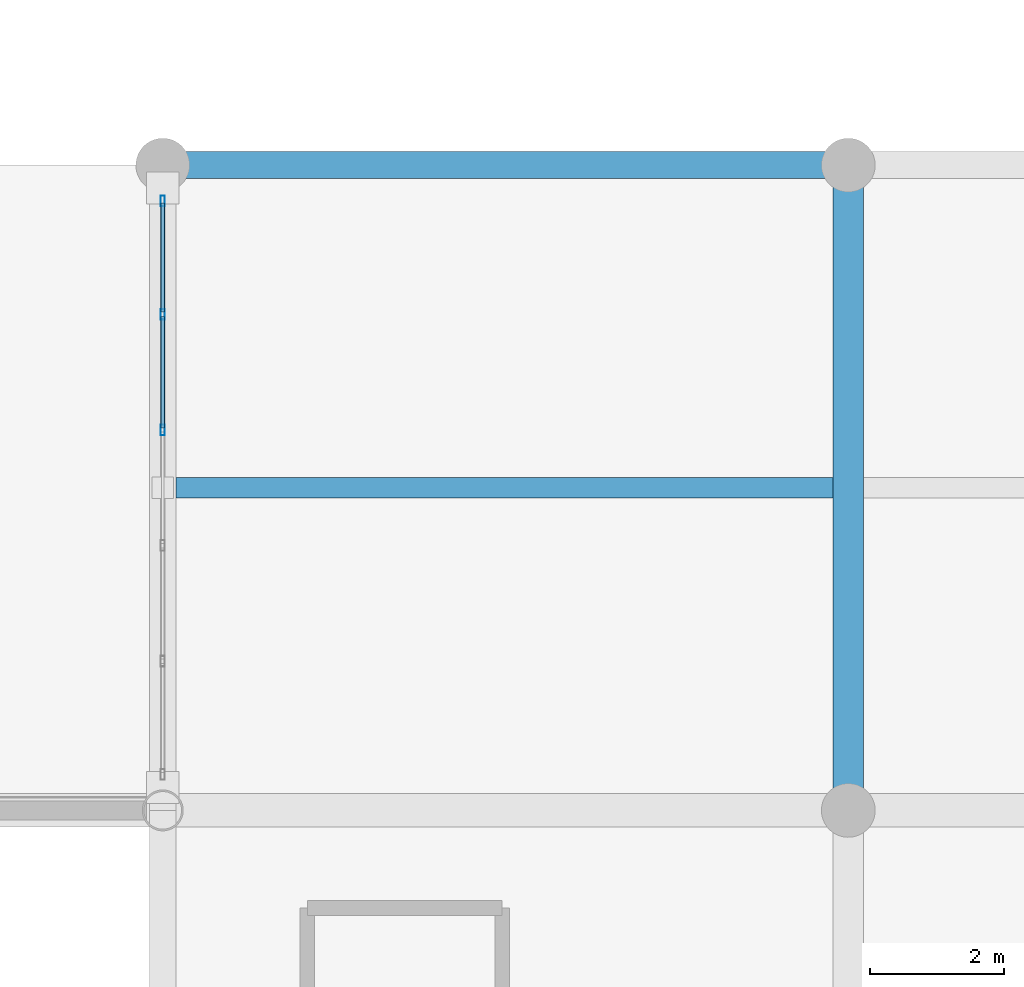
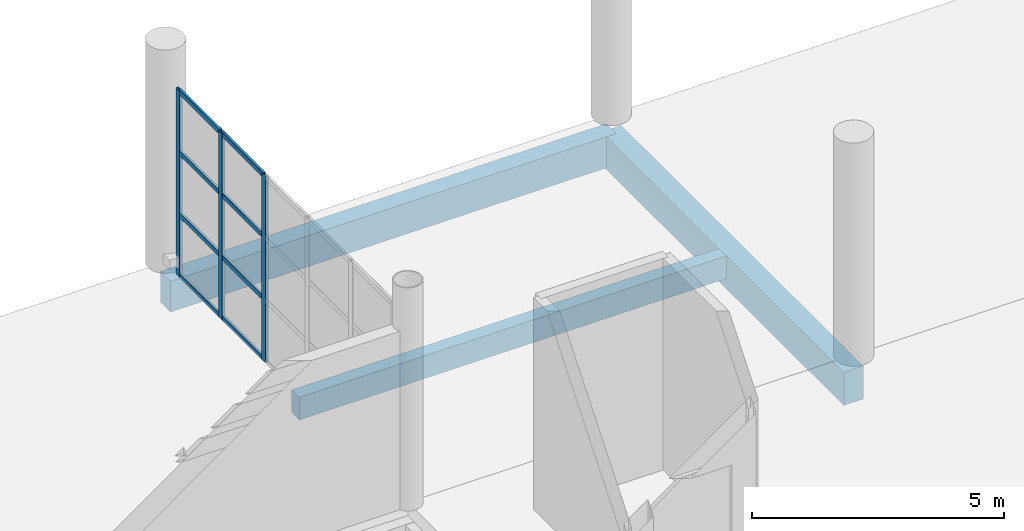
# One storey, part 78 of 175: 11 members, 3 beams, 1 element without a shape of its own.
"""IFC4 building model written with IfcOpenShell, lengths in metres."""

from ifc_helpers import new_model, si_unit, direction, frame, origin, origin_2d, place, context, subcontext, project, spatial, rectangle, hollow_rectangle, extrude, material, material_profile, profile_set, type_object, element, aggregate, save


model = new_model("IFC4")

# Units and contexts
model_context = context("Model", 3, precision=1e-05, world=origin(), true_north=direction((0.0, 1.0)))
body_context = subcontext(model_context, "Body", "Model", "MODEL_VIEW")
ifc_project = project(units=[si_unit("LENGTHUNIT", "METRE"), si_unit("AREAUNIT", "SQUARE_METRE"), si_unit("VOLUMEUNIT", "CUBIC_METRE"), si_unit("PLANEANGLEUNIT", "RADIAN"), si_unit("MASSUNIT", "GRAM", prefix="KILO")], contexts=[model_context])

# Site, building, storey
site_placement = place(None, origin())
site = spatial("IfcSite", under=ifc_project, at=site_placement, CompositionType="ELEMENT")
building_placement = place(site_placement, origin())
building = spatial("IfcBuilding", under=site, at=building_placement, Name="Brelvane Convention Centre", CompositionType="ELEMENT")
storey_placement = place(building_placement, frame((0.0, 0.0, 5.39990234375)))
storey = spatial("IfcBuildingStorey", under=building, at=storey_placement, Name="L01", CompositionType="ELEMENT", Elevation=5.39990234375)

# Curtain wall, members
ifc_material_1 = material(Name="Anodised Aluminium Alloy 6063-T6", Category="aluminium")
curtain_wall_type = type_object("IfcCurtainWallType", Name="Curtain Wall CW-PAV", PredefinedType="USERDEFINED", material=ifc_material_1)
curtain_wall_placement = place(storey_placement, origin())
curtain_wall = element("IfcCurtainWall", 1, at=curtain_wall_placement, inside=storey, type_object=curtain_wall_type, Name="Curtain Wall CW-PAV L01-COURT-E-CW-L01", ObjectType="UNITISED", PredefinedType="USERDEFINED")
ifc_material_2 = material(Name="Anodised Aluminium Alloy 6063-T6", Category="aluminium")
ifc_material_profile_1 = material_profile(ifc_material_2, hollow_rectangle(XDim=0.06494140625, YDim=0.159912109375, WallThickness=0.00390625, InnerFilletRadius=0.00390625, OuterFilletRadius=0.008056640625, at=origin_2d()), Name="ALU-M 160x65x4.0")
ifc_profile_set_1 = profile_set([ifc_material_profile_1], Name="Anodised Aluminium Alloy 6063-T6")
member_type_1 = type_object("IfcMemberType", Name="Curtain Mullion CW-M3", PredefinedType="MULLION", material=ifc_profile_set_1)
member_1_placement = place(storey_placement, frame((142.800048828125, 105.260009765625, 0.0), z_axis=(0.0, 0.0, 1.0), x_axis=(-1.0, 0.0, 0.0)))
member_1 = element("IfcMember", 2, at=member_1_placement, type_object=member_type_1, Name="CW-PAV mullion 4", PredefinedType="MULLION", context=body_context, shape_type="SweptSolid", body=[
    extrude(hollow_rectangle(XDim=0.06494140625, YDim=0.159912109375, WallThickness=0.00390625, InnerFilletRadius=0.00390625, OuterFilletRadius=0.008056640625, at=origin_2d()), origin(), (0.0, 0.0, 1.0), 4.5),
])
member_2_placement = place(storey_placement, frame((142.800048828125, 106.97998046875, 0.0), z_axis=(0.0, 0.0, 1.0), x_axis=(-1.0, 0.0, 0.0)))
member_2 = element("IfcMember", 3, at=member_2_placement, type_object=member_type_1, Name="CW-PAV mullion 5", PredefinedType="MULLION", context=body_context, shape_type="SweptSolid", body=[
    extrude(hollow_rectangle(XDim=0.06494140625, YDim=0.159912109375, WallThickness=0.00390625, InnerFilletRadius=0.00390625, OuterFilletRadius=0.008056640625, at=origin_2d()), origin(), (0.0, 0.0, 1.0), 4.5),
])
member_3_placement = place(storey_placement, frame((142.800048828125, 108.66748046875, 0.0), z_axis=(0.0, 0.0, 1.0), x_axis=(-1.0, 0.0, 0.0)))
member_3 = element("IfcMember", 4, at=member_3_placement, type_object=member_type_1, Name="CW-PAV mullion 6", PredefinedType="MULLION", context=body_context, shape_type="SweptSolid", body=[
    extrude(hollow_rectangle(XDim=0.06494140625, YDim=0.159912109375, WallThickness=0.00390625, InnerFilletRadius=0.00390625, OuterFilletRadius=0.008056640625, at=origin_2d()), origin(), (0.0, 0.0, 1.0), 4.5),
])
ifc_material_3 = material(Name="Anodised Aluminium Alloy 6063-T6", Category="aluminium")
ifc_material_profile_2 = material_profile(ifc_material_3, hollow_rectangle(XDim=0.06005859375, YDim=0.1201171875, WallThickness=0.00390625, InnerFilletRadius=0.00390625, OuterFilletRadius=0.008056640625, at=origin_2d()), Name="ALU-T 120x60x4.0")
ifc_profile_set_2 = profile_set([ifc_material_profile_2], Name="Anodised Aluminium Alloy 6063-T6")
member_type_2 = type_object("IfcMemberType", Name="Curtain Transom CW-T3", PredefinedType="USERDEFINED", material=ifc_profile_set_2)
member_4_placement = place(storey_placement, frame((142.800048828125, 105.29248046875, 0.030029296875), z_axis=(0.0, 1.0, 0.0), x_axis=(-1.0, 0.0, 0.0)))
member_4 = element("IfcMember", 5, at=member_4_placement, type_object=member_type_2, Name="CW-PAV transom 4.1", ObjectType="TRANSOM", PredefinedType="USERDEFINED", context=body_context, shape_type="SweptSolid", body=[
    extrude(hollow_rectangle(XDim=0.06005859375, YDim=0.1201171875, WallThickness=0.00390625, InnerFilletRadius=0.00390625, OuterFilletRadius=0.008056640625, at=origin_2d()), origin(), (0.0, 0.0, 1.0), 1.655029296875),
])
member_5_placement = place(storey_placement, frame((142.800048828125, 105.29248046875, 1.5), z_axis=(0.0, 1.0, 0.0), x_axis=(-1.0, 0.0, 0.0)))
member_5 = element("IfcMember", 6, at=member_5_placement, type_object=member_type_2, Name="CW-PAV transom 4.2", ObjectType="TRANSOM", PredefinedType="USERDEFINED", context=body_context, shape_type="SweptSolid", body=[
    extrude(hollow_rectangle(XDim=0.06005859375, YDim=0.1201171875, WallThickness=0.00390625, InnerFilletRadius=0.00390625, OuterFilletRadius=0.008056640625, at=origin_2d()), origin(), (0.0, 0.0, 1.0), 1.655029296875),
])
member_6_placement = place(storey_placement, frame((142.800048828125, 105.29248046875, 3.0), z_axis=(0.0, 1.0, 0.0), x_axis=(-1.0, 0.0, 0.0)))
member_6 = element("IfcMember", 7, at=member_6_placement, type_object=member_type_2, Name="CW-PAV transom 4.3", ObjectType="TRANSOM", PredefinedType="USERDEFINED", context=body_context, shape_type="SweptSolid", body=[
    extrude(hollow_rectangle(XDim=0.06005859375, YDim=0.1201171875, WallThickness=0.00390625, InnerFilletRadius=0.00390625, OuterFilletRadius=0.008056640625, at=origin_2d()), origin(), (0.0, 0.0, 1.0), 1.655029296875),
])
member_7_placement = place(storey_placement, frame((142.800048828125, 105.29248046875, 4.47021484375), z_axis=(0.0, 1.0, 0.0), x_axis=(-1.0, 0.0, 0.0)))
member_7 = element("IfcMember", 8, at=member_7_placement, type_object=member_type_2, Name="CW-PAV transom 4.4", ObjectType="TRANSOM", PredefinedType="USERDEFINED", context=body_context, shape_type="SweptSolid", body=[
    extrude(hollow_rectangle(XDim=0.06005859375, YDim=0.1201171875, WallThickness=0.00390625, InnerFilletRadius=0.00390625, OuterFilletRadius=0.008056640625, at=origin_2d()), origin(), (0.0, 0.0, 1.0), 1.655029296875),
])
member_8_placement = place(storey_placement, frame((142.800048828125, 107.012451171875, 0.030029296875), z_axis=(0.0, 1.0, 0.0), x_axis=(-1.0, 0.0, 0.0)))
member_8 = element("IfcMember", 9, at=member_8_placement, type_object=member_type_2, Name="CW-PAV transom 5.1", ObjectType="TRANSOM", PredefinedType="USERDEFINED", context=body_context, shape_type="SweptSolid", body=[
    extrude(hollow_rectangle(XDim=0.06005859375, YDim=0.1201171875, WallThickness=0.00390625, InnerFilletRadius=0.00390625, OuterFilletRadius=0.008056640625, at=origin_2d()), origin(), (0.0, 0.0, 1.0), 1.62255859375),
])
member_9_placement = place(storey_placement, frame((142.800048828125, 107.012451171875, 1.5), z_axis=(0.0, 1.0, 0.0), x_axis=(-1.0, 0.0, 0.0)))
member_9 = element("IfcMember", 10, at=member_9_placement, type_object=member_type_2, Name="CW-PAV transom 5.2", ObjectType="TRANSOM", PredefinedType="USERDEFINED", context=body_context, shape_type="SweptSolid", body=[
    extrude(hollow_rectangle(XDim=0.06005859375, YDim=0.1201171875, WallThickness=0.00390625, InnerFilletRadius=0.00390625, OuterFilletRadius=0.008056640625, at=origin_2d()), origin(), (0.0, 0.0, 1.0), 1.62255859375),
])
member_10_placement = place(storey_placement, frame((142.800048828125, 107.012451171875, 3.0), z_axis=(0.0, 1.0, 0.0), x_axis=(-1.0, 0.0, 0.0)))
member_10 = element("IfcMember", 11, at=member_10_placement, type_object=member_type_2, Name="CW-PAV transom 5.3", ObjectType="TRANSOM", PredefinedType="USERDEFINED", context=body_context, shape_type="SweptSolid", body=[
    extrude(hollow_rectangle(XDim=0.06005859375, YDim=0.1201171875, WallThickness=0.00390625, InnerFilletRadius=0.00390625, OuterFilletRadius=0.008056640625, at=origin_2d()), origin(), (0.0, 0.0, 1.0), 1.62255859375),
])
member_11_placement = place(storey_placement, frame((142.800048828125, 107.012451171875, 4.47021484375), z_axis=(0.0, 1.0, 0.0), x_axis=(-1.0, 0.0, 0.0)))
member_11 = element("IfcMember", 12, at=member_11_placement, type_object=member_type_2, Name="CW-PAV transom 5.4", ObjectType="TRANSOM", PredefinedType="USERDEFINED", context=body_context, shape_type="SweptSolid", body=[
    extrude(hollow_rectangle(XDim=0.06005859375, YDim=0.1201171875, WallThickness=0.00390625, InnerFilletRadius=0.00390625, OuterFilletRadius=0.008056640625, at=origin_2d()), origin(), (0.0, 0.0, 1.0), 1.62255859375),
])
aggregate(curtain_wall, [member_1, member_2, member_3, member_4, member_5, member_6, member_7, member_8, member_9, member_10, member_11])

# Beams
ifc_material_4 = material(Name="Concrete M40", Category="concrete")
ifc_material_profile_3 = material_profile(ifc_material_4, rectangle(XDim=0.449951171875, YDim=0.800048828125, at=origin_2d()), Name="RC 450x800")
ifc_profile_set_3 = profile_set([ifc_material_profile_3], Name="Concrete M40")
beam_type_1 = type_object("IfcBeamType", Name="RC Beam B-RC5 (RC 450x800)", PredefinedType="BEAM", material=ifc_profile_set_3)
beam_1_placement = place(storey_placement, frame((153.0, 99.60009765625, -0.75), z_axis=(0.0, 1.0, 0.0), x_axis=(-1.0, 0.0, 0.0)))
element("IfcBeam", 13, at=beam_1_placement, inside=storey, type_object=beam_type_1, Name="L01 Girder 16/K-L", PredefinedType="BEAM", context=body_context, shape_type="SweptSolid", body=[
    extrude(rectangle(XDim=0.449951171875, YDim=0.800048828125, at=origin_2d()), origin(), (0.0, 0.0, 1.0), 9.599853515625),
])
ifc_material_5 = material(Name="Concrete M40", Category="concrete")
ifc_material_profile_4 = material_profile(ifc_material_5, rectangle(XDim=0.300048828125, YDim=0.550048828125, at=origin_2d()), Name="RC 300x550")
ifc_profile_set_4 = profile_set([ifc_material_profile_4], Name="Concrete M40")
beam_type_2 = type_object("IfcBeamType", Name="RC Joist J-RC1 (RC 300x550)", PredefinedType="JOIST", material=ifc_profile_set_4)
beam_2_placement = place(storey_placement, frame((143.0, 104.39990234375, -0.625), z_axis=(1.0, 0.0, 0.0), x_axis=(0.0, 1.0, 0.0)))
element("IfcBeam", 14, at=beam_2_placement, inside=storey, type_object=beam_type_2, Name="L01 Secondary Joist 15-16/KL", PredefinedType="JOIST", context=body_context, shape_type="SweptSolid", body=[
    extrude(rectangle(XDim=0.300048828125, YDim=0.550048828125, at=origin_2d()), origin(), (0.0, 0.0, 1.0), 9.77490234375),
])
ifc_material_6 = material(Name="Concrete M40", Category="concrete")
ifc_material_profile_5 = material_profile(ifc_material_6, rectangle(XDim=0.39990234375, YDim=0.75, at=origin_2d()), Name="RC 400x750")
ifc_profile_set_5 = profile_set([ifc_material_profile_5], Name="Concrete M40")
beam_type_3 = type_object("IfcBeamType", Name="RC Spandrel SP-RC1 (RC 400x750)", PredefinedType="SPANDREL", material=ifc_profile_set_5)
beam_3_placement = place(storey_placement, frame((142.800048828125, 109.199951171875, -0.724853515625), z_axis=(1.0, 0.0, 0.0), x_axis=(0.0, 1.0, 0.0)))
element("IfcBeam", 15, at=beam_3_placement, inside=storey, type_object=beam_type_3, Name="L01 Beam 15-16/L", PredefinedType="SPANDREL", context=body_context, shape_type="SweptSolid", body=[
    extrude(rectangle(XDim=0.39990234375, YDim=0.75, at=origin_2d()), origin(), (0.0, 0.0, 1.0), 10.199951171875),
])

save(model, "model.ifc")
